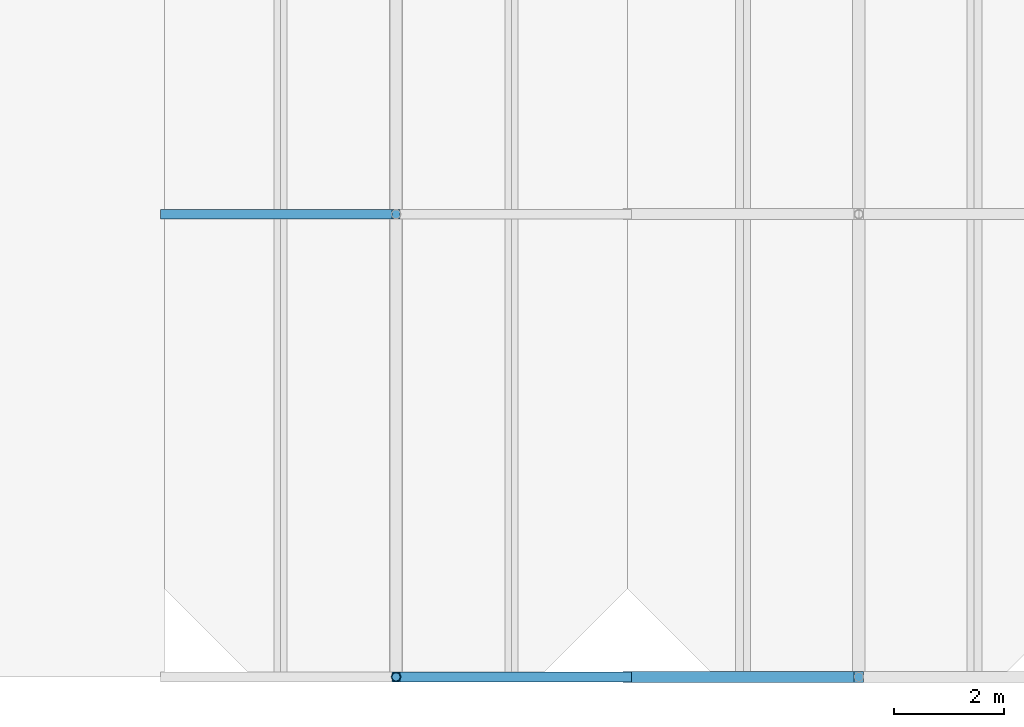
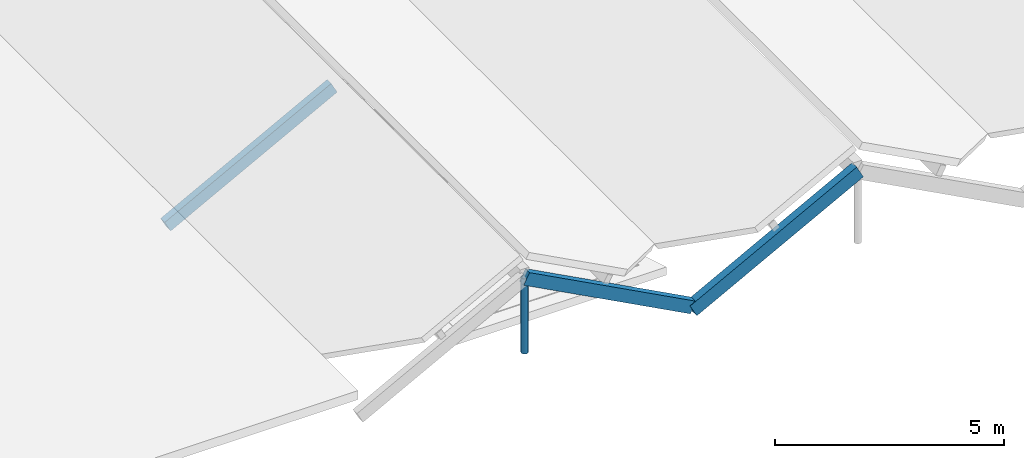
# One storey, part 17 of 82: 4 members.
"""IFC4 building model written with IfcOpenShell, lengths in metres."""

from ifc_helpers import new_model, si_unit, direction, frame, origin, origin_2d, place, context, subcontext, project, spatial, rectangle, hollow_circle, extrude, material, material_profile, profile_set, type_object, element, save


model = new_model("IFC4")

# Units and contexts
model_context = context("Model", 3, precision=1e-05, world=origin(), true_north=direction((0.0, 1.0)))
body_context = subcontext(model_context, "Body", "Model", "MODEL_VIEW")
ifc_project = project(units=[si_unit("LENGTHUNIT", "METRE"), si_unit("AREAUNIT", "SQUARE_METRE"), si_unit("VOLUMEUNIT", "CUBIC_METRE"), si_unit("PLANEANGLEUNIT", "RADIAN"), si_unit("MASSUNIT", "GRAM", prefix="KILO")], contexts=[model_context])

# Site, building, storey
site_placement = place(None, origin())
site = spatial("IfcSite", under=ifc_project, at=site_placement, CompositionType="ELEMENT")
building_placement = place(site_placement, origin())
building = spatial("IfcBuilding", under=site, at=building_placement, Name="Bramfleet General Hospital", CompositionType="ELEMENT")
storey_placement = place(building_placement, frame((0.0, 0.0, 34.199951171875)))
storey = spatial("IfcBuildingStorey", under=building, at=storey_placement, Name="Roof", CompositionType="ELEMENT", Elevation=34.199951171875)

# Members
ifc_material_1 = material(Name="Structural timber GL28h", Category="wood")
ifc_material_profile_1 = material_profile(ifc_material_1, rectangle(XDim=0.179931640625, YDim=0.320068359375, at=origin_2d()), Name="GL28h 320x180")
ifc_profile_set_1 = profile_set([ifc_material_profile_1], Name="Structural timber GL28h")
member_type_1 = type_object("IfcMemberType", Name="MEM-RF-GL320", PredefinedType="RAFTER", material=ifc_profile_set_1)
for number, where, z_axis, x_axis, name in (
    (1, (113.39990234375, 0.0, 1.561279296875), (0.882958848035, 0.0, -0.469450394267), (0.0, 1.0, 0.0), "Patient House PH-06 East Glulam Rafter 0"),
    (2, (109.199951171875, 8.39990234375, -0.671875), (0.882947536541, 0.0, 0.469471668705), (0.0, 1.0, 0.0), "Patient House PH-06 West Glulam Rafter 1"),
):
    element("IfcMember", number, at=place(storey_placement, frame(where, z_axis=z_axis, x_axis=x_axis)), inside=storey, type_object=member_type_1, Name=name, PredefinedType="RAFTER", context=body_context, shape_type="SweptSolid", body=[
        extrude(rectangle(XDim=0.179931640625, YDim=0.320068359375, at=origin_2d()), origin(), (0.0, 0.0, 1.0), 4.7568359375),
    ])
ifc_material_profile_2 = material_profile(ifc_material_1, rectangle(XDim=0.199951171875, YDim=0.360107421875, at=origin_2d()), Name="GL28h 360x200")
ifc_profile_set_2 = profile_set([ifc_material_profile_2], Name="Structural timber GL28h")
member_type_2 = type_object("IfcMemberType", Name="MEM-RF-GL360", PredefinedType="RAFTER", material=ifc_profile_set_2)
member_1_placement = place(storey_placement, frame((117.60009765625, 0.0, -0.75634765625), z_axis=(0.882947536541, 0.0, 0.469471668705), x_axis=(0.0, 1.0, 0.0)))
element("IfcMember", 3, at=member_1_placement, inside=storey, type_object=member_type_2, Name="Patient House PH-07 West Glulam Rafter 0", PredefinedType="RAFTER", context=body_context, shape_type="SweptSolid", body=[
    extrude(rectangle(XDim=0.199951171875, YDim=0.360107421875, at=origin_2d()), origin(), (0.0, 0.0, 1.0), 4.7568359375),
])
ifc_material_2 = material(Name="Steel S355", Category="steel")
ifc_material_profile_3 = material_profile(ifc_material_2, hollow_circle(Radius=0.084228515625, WallThickness=0.008056640625, at=origin_2d()), Name="CHS 168.3x8.0")
ifc_profile_set_3 = profile_set([ifc_material_profile_3], Name="Steel S355")
member_type_3 = type_object("IfcMemberType", Name="MEM-SF-DG1", PredefinedType="STRUT", material=ifc_profile_set_3)
member_2_placement = place(storey_placement, frame((113.39990234375, 0.0, -0.43994140625), z_axis=(0.0, 0.0, 1.0), x_axis=(1.0, 0.0, 0.0)))
element("IfcMember", 4, at=member_2_placement, inside=storey, type_object=member_type_3, Name="Patient House PH-06 Ridge Timber Post 0", PredefinedType="STRUT", context=body_context, shape_type="SweptSolid", body=[
    extrude(hollow_circle(Radius=0.084228515625, WallThickness=0.008056640625, at=origin_2d()), origin(), (0.0, 0.0, 1.0), 2.001220703125),
])

save(model, "model.ifc")
